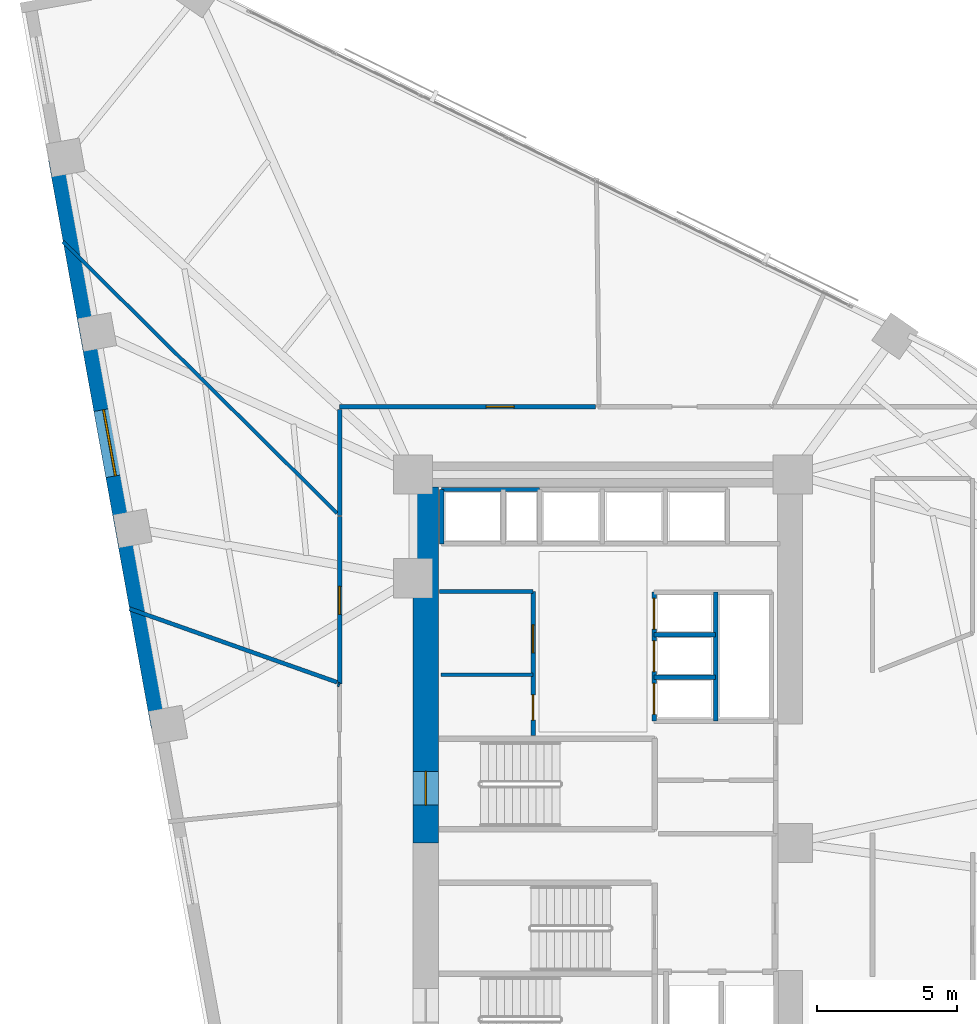
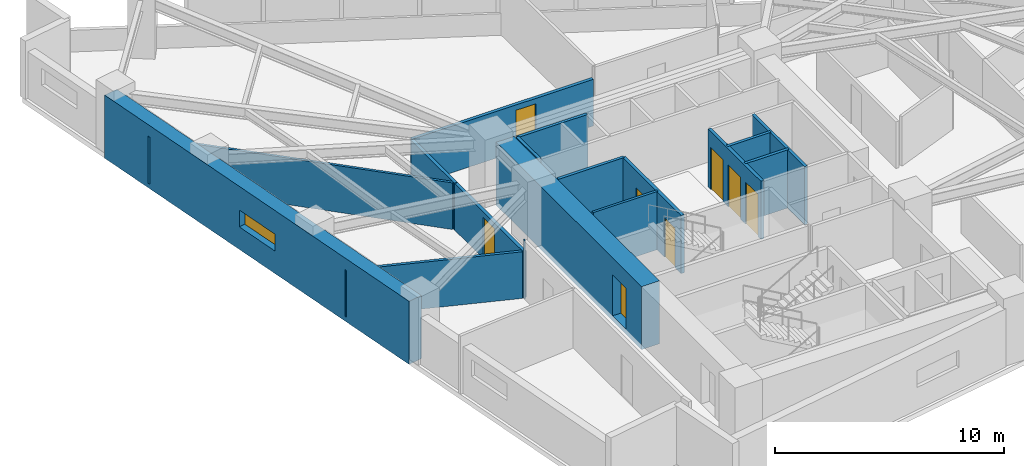
# One storey, part 14 of 20: 17 walls, 8 doors, 1 window, 9 openings.
"""IFC4 building model written with IfcOpenShell, lengths in metres."""

from ifc_helpers import new_model, si_unit, direction, frame, frame_2d, origin, place, context, subcontext, project, spatial, rectangle, extrude, material, layer, layer_set, type_object, element, fill, save


model = new_model("IFC4")

# Units and contexts
model_context = context("Model", 3, precision=1e-05, world=origin(), true_north=direction((0.0, 1.0)))
body_context = subcontext(model_context, "Body", "Model", "MODEL_VIEW")
ifc_project = project(units=[si_unit("LENGTHUNIT", "METRE"), si_unit("AREAUNIT", "SQUARE_METRE"), si_unit("VOLUMEUNIT", "CUBIC_METRE"), si_unit("PLANEANGLEUNIT", "RADIAN"), si_unit("MASSUNIT", "GRAM", prefix="KILO")], contexts=[model_context])

# Site, building, storey
site_placement = place(None, origin())
site = spatial("IfcSite", under=ifc_project, at=site_placement, CompositionType="ELEMENT")
building_placement = place(site_placement, origin())
building = spatial("IfcBuilding", under=site, at=building_placement, Name="Narakoshi Arena Tower", CompositionType="ELEMENT")
storey_placement = place(building_placement, frame((0.0, 0.0, 124.5)))
storey = spatial("IfcBuildingStorey", under=building, at=storey_placement, Name="L33", CompositionType="ELEMENT", Elevation=124.5)

# Wall, opening, door
ifc_material_1 = material(Name="Concrete C60/75", Category="concrete")
ifc_layer_1 = layer(ifc_material_1, 0.89990234375)
ifc_layer_set_1 = layer_set([ifc_layer_1], Name="Concrete C60/75")
wall_type_1 = type_object("IfcWallType", Name="WL-CORE-900", PredefinedType="SHEAR", material=ifc_layer_set_1)
wall_1_placement = place(storey_placement, frame((72.449951171875, 43.35009765625, -0.260009765625), z_axis=(0.0, 0.0, 1.0), x_axis=(0.0, 1.0, 0.0)))
wall_1 = element("IfcWall", 1, at=wall_1_placement, inside=storey, type_object=wall_type_1, Name="L33 Main Core Shear Wall CW-MN-W", PredefinedType="SHEAR", context=body_context, shape_type="SweptSolid", body=[
    extrude(rectangle(XDim=12.699951171875, YDim=0.89990234375, at=frame_2d((6.35009765625, 0.0))), origin(), (0.0, 0.0, 1.0), 3.360107421875),
])
opening_1_placement = place(wall_1_placement, frame((1.35009765625, 0.0, 0.260009765625)))
opening_1 = element("IfcOpeningElement", 2, at=opening_1_placement, cuts=wall_1, Name="Opening D-03", PredefinedType="OPENING", context=body_context, shape_type="SweptSolid", body=[
    extrude(rectangle(XDim=1.199951171875, YDim=2.199951171875, at=frame_2d((0.60009765625, 1.10009765625))), frame((0.0, 0.4599609375, 0.0), z_axis=(0.0, -1.0, 0.0), x_axis=(1.0, 0.0, 0.0)), (0.0, 0.0, 1.0), 0.919921875),
])
ifc_material_2 = material(Name="Painted galvanized steel", Category="steel")
door_type_1 = type_object("IfcDoorType", Name="DR-STR-1200", OperationType="NOTDEFINED", PredefinedType="USERDEFINED", material=ifc_material_2)
door_1_placement = place(opening_1_placement, frame((1.199951171875, 0.0, 0.0), z_axis=(0.0, 0.0, 1.0), x_axis=(-1.0, 0.0, 0.0)))
door_1 = element("IfcDoor", 3, at=door_1_placement, inside=storey, type_object=door_type_1, Name="DR-L33-006", ObjectType="EXITDOOR", OperationType="SINGLE_SWING_LEFT", OverallHeight=2.199951171875, OverallWidth=1.199951171875, PredefinedType="USERDEFINED", context=body_context, shape_type="SweptSolid", body=[
    extrude(rectangle(XDim=1.199951171875, YDim=2.199951171875, at=frame_2d((0.60009765625, 1.10009765625))), frame((0.0, 0.02490234375, 0.0), z_axis=(0.0, -1.0, 0.0), x_axis=(1.0, 0.0, 0.0)), (0.0, 0.0, 1.0), 0.050048828125),
])
fill(opening_1, door_1)

ifc_material_3 = material(Name="Gypsum plasterboard fire-rated partition")
ifc_layer_2 = layer(ifc_material_3, 0.1650390625)
ifc_layer_set_2 = layer_set([ifc_layer_2], Name="Gypsum plasterboard fire-rated partition")
wall_type_2 = type_object("IfcWallType", Name="WL-CORR-165", PredefinedType="PARTITIONING", material=ifc_layer_set_2)
wall_2_placement = place(storey_placement, frame((78.51708984375, 58.9189453125, 0.0), z_axis=(0.0, 0.0, 1.0), x_axis=(-1.0, 0.0, 0.0)))
wall_2 = element("IfcWall", 4, at=wall_2_placement, inside=storey, type_object=wall_type_2, Name="L33 Corridor Partition 07-1", PredefinedType="PARTITIONING", context=body_context, shape_type="SweptSolid", body=[
    extrude(rectangle(XDim=9.140869140625, YDim=0.1650390625, at=frame_2d((4.5703125, 0.0))), origin(), (0.0, 0.0, 1.0), 2.485107421875),
])
opening_2_placement = place(wall_2_placement, frame((2.909423828125, 0.0, 0.0)))
opening_2 = element("IfcOpeningElement", 5, at=opening_2_placement, cuts=wall_2, Name="Opening D-06", PredefinedType="OPENING", context=body_context, shape_type="SweptSolid", body=[
    extrude(rectangle(XDim=1.0, YDim=2.199951171875, at=frame_2d((0.5, 1.10009765625))), frame((0.0, 0.092529296875, 0.0), z_axis=(0.0, -1.0, 0.0), x_axis=(1.0, 0.0, 0.0)), (0.0, 0.0, 1.0), 0.18505859375),
])
ifc_material_4 = material(Name="Stained oak solid-core timber", Category="wood")
door_type_2 = type_object("IfcDoorType", Name="DR-OFF-1000", OperationType="NOTDEFINED", PredefinedType="DOOR", material=ifc_material_4)
door_2_placement = place(opening_2_placement, frame((1.0, 0.0, 0.0), z_axis=(0.0, 0.0, 1.0), x_axis=(-1.0, 0.0, 0.0)))
door_2 = element("IfcDoor", 6, at=door_2_placement, inside=storey, type_object=door_type_2, Name="DR-L33-020", OperationType="SINGLE_SWING_LEFT", OverallHeight=2.199951171875, OverallWidth=1.0, PredefinedType="DOOR", context=body_context, shape_type="SweptSolid", body=[
    extrude(rectangle(XDim=1.0, YDim=2.199951171875, at=frame_2d((0.5, 1.10009765625))), frame((0.0, 0.02490234375, 0.0), z_axis=(0.0, -1.0, 0.0), x_axis=(1.0, 0.0, 0.0)), (0.0, 0.0, 1.0), 0.050048828125),
])
fill(opening_2, door_2)

# Wall
wall_3_placement = place(storey_placement, frame((69.376220703125, 58.824462890625, 0.0), z_axis=(0.0, 0.0, 1.0), x_axis=(0.0, -1.0, 0.0)))
element("IfcWall", 7, at=wall_3_placement, inside=storey, type_object=wall_type_2, Name="L33 Corridor Partition 07-2", PredefinedType="PARTITIONING", context=body_context, shape_type="SweptSolid", body=[
    extrude(rectangle(XDim=3.794189453125, YDim=0.1650390625, at=frame_2d((1.89697265625, 0.0))), origin(), (0.0, 0.0, 1.0), 2.485107421875),
])

# Wall, opening, door
wall_4_placement = place(storey_placement, frame((69.376220703125, 54.996337890625, 0.0), z_axis=(0.0, 0.0, 1.0), x_axis=(0.0, -1.0, 0.0)))
wall_4 = element("IfcWall", 8, at=wall_4_placement, inside=storey, type_object=wall_type_2, Name="L33 Corridor Partition 08-1", PredefinedType="PARTITIONING", context=body_context, shape_type="SweptSolid", body=[
    extrude(rectangle(XDim=5.983154296875, YDim=0.1650390625, at=frame_2d((2.99169921875, 0.0))), origin(), (0.0, 0.0, 1.0), 2.485107421875),
])
opening_3_placement = place(wall_4_placement, frame((2.49169921875, 0.0, 0.0)))
opening_3 = element("IfcOpeningElement", 9, at=opening_3_placement, cuts=wall_4, Name="Opening D-06", PredefinedType="OPENING", context=body_context, shape_type="SweptSolid", body=[
    extrude(rectangle(XDim=1.0, YDim=2.199951171875, at=frame_2d((0.5, 1.10009765625))), frame((0.0, 0.092529296875, 0.0), z_axis=(0.0, -1.0, 0.0), x_axis=(1.0, 0.0, 0.0)), (0.0, 0.0, 1.0), 0.18505859375),
])
door_3_placement = place(opening_3_placement, frame((1.0, 0.0, 0.0), z_axis=(0.0, 0.0, 1.0), x_axis=(-1.0, 0.0, 0.0)))
door_3 = element("IfcDoor", 10, at=door_3_placement, inside=storey, type_object=door_type_2, Name="DR-L33-021", OperationType="SINGLE_SWING_RIGHT", OverallHeight=2.199951171875, OverallWidth=1.0, PredefinedType="DOOR", context=body_context, shape_type="SweptSolid", body=[
    extrude(rectangle(XDim=1.0, YDim=2.199951171875, at=frame_2d((0.5, 1.10009765625))), frame((0.0, 0.02490234375, 0.0), z_axis=(0.0, -1.0, 0.0), x_axis=(1.0, 0.0, 0.0)), (0.0, 0.0, 1.0), 0.050048828125),
])
fill(opening_3, door_3)

# Wall, opening, window
ifc_layer_3 = layer(ifc_material_1, 0.699951171875)
ifc_layer_set_3 = layer_set([ifc_layer_3], Name="Concrete C60/75")
wall_type_3 = type_object("IfcWallType", Name="WL-LEG-700", PredefinedType="SHEAR", material=ifc_layer_set_3)
wall_5_placement = place(storey_placement, frame((59.327880859375, 67.767822265625, -0.260009765625), z_axis=(0.0, 0.0, 1.0), x_axis=(0.177933213615, -0.984042565895, 0.0)))
wall_5 = element("IfcWall", 11, at=wall_5_placement, inside=storey, type_object=wall_type_3, Name="L33 Architectural Concrete Structural Wall LEGB-2", PredefinedType="SHEAR", context=body_context, shape_type="SweptSolid", body=[
    extrude(rectangle(XDim=20.57861328125, YDim=0.699951171875, at=frame_2d((10.289306640625, 0.0))), origin(), (0.0, 0.0, 1.0), 3.360107421875),
])
opening_4_placement = place(wall_5_placement, frame((9.10009765625, 0.0, 1.199951171875)))
opening_4 = element("IfcOpeningElement", 12, at=opening_4_placement, cuts=wall_5, Name="Opening WN-01", PredefinedType="OPENING", context=body_context, shape_type="SweptSolid", body=[
    extrude(rectangle(XDim=2.39990234375, YDim=0.89990234375, at=frame_2d((1.199951171875, 0.449951171875))), frame((0.0, 0.35986328125, 0.0), z_axis=(0.0, -1.0, 0.0), x_axis=(1.0, 0.0, 0.0)), (0.0, 0.0, 1.0), 0.719970703125),
])
ifc_material_5 = material(Name="Bronze-tinted low-E laminated glass", Category="glass")
window_type = type_object("IfcWindowType", Name="WIN-SLT-24x09", PartitioningType="SINGLE_PANEL", PredefinedType="WINDOW", material=ifc_material_5)
window_placement = place(opening_4_placement, origin())
window = element("IfcWindow", 13, at=window_placement, inside=storey, type_object=window_type, Name="L33 LEGB2 Horizontal Slot Window 1", OverallHeight=0.89990234375, OverallWidth=2.39990234375, PartitioningType="SINGLE_PANEL", PredefinedType="WINDOW", context=body_context, shape_type="SweptSolid", body=[
    extrude(rectangle(XDim=2.39990234375, YDim=0.89990234375, at=frame_2d((1.199951171875, 0.449951171875))), frame((0.0, 0.030029296875, 0.0), z_axis=(0.0, -1.0, 0.0), x_axis=(1.0, 0.0, 0.0)), (0.0, 0.0, 1.0), 0.06005859375),
])
fill(opening_4, window)

# Walls
ifc_layer_4 = layer(ifc_material_3, 0.125)
ifc_layer_set_4 = layer_set([ifc_layer_4], Name="Gypsum plasterboard fire-rated partition")
wall_type_4 = type_object("IfcWallType", Name="WL-PART-125", PredefinedType="PARTITIONING", material=ifc_layer_set_4)
wall_6_placement = place(storey_placement, frame((73.0, 49.35009765625, 0.0), z_axis=(0.0, 0.0, 1.0), x_axis=(1.0, 0.0, 0.0)))
element("IfcWall", 14, at=wall_6_placement, inside=storey, type_object=wall_type_4, Name="L33 Core Wall RCL-LR-D1", PredefinedType="PARTITIONING", context=body_context, shape_type="SweptSolid", body=[
    extrude(rectangle(XDim=3.280029296875, YDim=0.125, at=frame_2d((1.64013671875, 0.0))), origin(), (0.0, 0.0, 1.0), 3.10009765625),
])
wall_7_placement = place(storey_placement, frame((69.28173828125, 55.123779296875, 0.0), z_axis=(0.0, 0.0, 1.0), x_axis=(-0.710310594926, 0.703888385141, 0.0)))
element("IfcWall", 15, at=wall_7_placement, inside=storey, type_object=wall_type_4, Name="L33 Inter-Room Partition 07-08", PredefinedType="PARTITIONING", context=body_context, shape_type="SweptSolid", body=[
    extrude(rectangle(XDim=13.761474609375, YDim=0.125, at=frame_2d((6.880859375, 0.0))), origin(), (0.0, 0.0, 1.0), 2.485107421875),
])
ifc_material_6 = material(Name="Concrete C40/50", Category="concrete")
ifc_layer_5 = layer(ifc_material_6, 0.280029296875)
ifc_layer_set_5 = layer_set([ifc_layer_5], Name="Concrete C40/50")
wall_type_5 = type_object("IfcWallType", Name="WL-RISER-280", PredefinedType="PLUMBINGWALL", material=ifc_layer_set_5)
for number, where, z_axis, x_axis, name in (
    (16, (80.60009765625, 49.260009765625, 0.0), (0.0, 0.0, 1.0), (1.0, 0.0, 0.0), "L33 Core Wall MR-D1"),
    (17, (80.60009765625, 50.780029296875, 0.0), (0.0, 0.0, 1.0), (1.0, 0.0, 0.0), "L33 Core Wall MR-D2"),
):
    element("IfcWall", number, at=place(storey_placement, frame(where, z_axis=z_axis, x_axis=x_axis)), inside=storey, type_object=wall_type_5, Name=name, PredefinedType="PLUMBINGWALL", context=body_context, shape_type="SweptSolid", body=[
        extrude(rectangle(XDim=2.199951171875, YDim=0.14990234375, at=frame_2d((1.10009765625, 0.0))), origin(), (0.0, 0.0, 1.0), 3.10009765625),
    ])
wall_8_placement = place(storey_placement, frame((82.800048828125, 47.699951171875, 0.0), z_axis=(0.0, 0.0, 1.0), x_axis=(0.0, 1.0, 0.0)))
element("IfcWall", 18, at=wall_8_placement, inside=storey, type_object=wall_type_5, Name="L33 Core Wall MR-E", PredefinedType="PLUMBINGWALL", context=body_context, shape_type="SweptSolid", body=[
    extrude(rectangle(XDim=4.60009765625, YDim=0.14990234375, at=frame_2d((2.300048828125, 0.0))), origin(), (0.0, 0.0, 1.0), 3.10009765625),
])
wall_9_placement = place(storey_placement, frame((73.02001953125, 54.02001953125, 0.0), z_axis=(0.0, 0.0, 1.0), x_axis=(0.0, 1.0, 0.0)))
element("IfcWall", 19, at=wall_9_placement, inside=storey, type_object=wall_type_5, Name="L33 Core Wall OBS-W", PredefinedType="PLUMBINGWALL", context=body_context, shape_type="SweptSolid", body=[
    extrude(rectangle(XDim=1.93994140625, YDim=0.14990234375, at=frame_2d((0.969970703125, 0.0))), origin(), (0.0, 0.0, 1.0), 3.10009765625),
])

# Wall, openings, doors
ifc_material_7 = material(Name="Concrete C50/60", Category="concrete")
ifc_layer_6 = layer(ifc_material_7, 0.35009765625)
ifc_layer_set_6 = layer_set([ifc_layer_6], Name="Concrete C50/60")
wall_type_6 = type_object("IfcWallType", Name="WL-SHAFT-350", PredefinedType="SOLIDWALL", material=ifc_layer_set_6)
wall_10_placement = place(storey_placement, frame((76.280029296875, 47.179931640625, 0.0), z_axis=(0.0, 0.0, 1.0), x_axis=(0.0, 1.0, 0.0)))
wall_10 = element("IfcWall", 20, at=wall_10_placement, inside=storey, type_object=wall_type_6, Name="L33 Core Wall LR-E", PredefinedType="SOLIDWALL", context=body_context, shape_type="SweptSolid", body=[
    extrude(rectangle(XDim=5.14013671875, YDim=0.159912109375, at=frame_2d((2.570068359375, 0.0))), origin(), (0.0, 0.0, 1.0), 3.10009765625),
])
opening_5_placement = place(wall_10_placement, frame((0.550048828125, 0.0, 0.0)))
opening_5 = element("IfcOpeningElement", 21, at=opening_5_placement, cuts=wall_10, Name="Opening D-08", PredefinedType="OPENING", context=body_context, shape_type="SweptSolid", body=[
    extrude(rectangle(XDim=0.89990234375, YDim=2.10009765625, at=frame_2d((0.449951171875, 1.050048828125))), frame((0.0, 0.08984375, 0.0), z_axis=(0.0, -1.0, 0.0), x_axis=(1.0, 0.0, 0.0)), (0.0, 0.0, 1.0), 0.179931640625),
])
opening_6_placement = place(wall_10_placement, frame((2.949951171875, 0.0, 0.0)))
opening_6 = element("IfcOpeningElement", 22, at=opening_6_placement, cuts=wall_10, Name="Opening D-06", PredefinedType="OPENING", context=body_context, shape_type="SweptSolid", body=[
    extrude(rectangle(XDim=1.0, YDim=2.199951171875, at=frame_2d((0.5, 1.10009765625))), frame((0.0, 0.08984375, 0.0), z_axis=(0.0, -1.0, 0.0), x_axis=(1.0, 0.0, 0.0)), (0.0, 0.0, 1.0), 0.179931640625),
])
door_4_placement = place(opening_6_placement, frame((1.0, 0.0, 0.0), z_axis=(0.0, 0.0, 1.0), x_axis=(-1.0, 0.0, 0.0)))
door_4 = element("IfcDoor", 23, at=door_4_placement, inside=storey, type_object=door_type_2, Name="DR-L33-010", OperationType="SINGLE_SWING_LEFT", OverallHeight=2.199951171875, OverallWidth=1.0, PredefinedType="DOOR", context=body_context, shape_type="SweptSolid", body=[
    extrude(rectangle(XDim=1.0, YDim=2.199951171875, at=frame_2d((0.5, 1.10009765625))), frame((0.0, 0.02490234375, 0.0), z_axis=(0.0, -1.0, 0.0), x_axis=(1.0, 0.0, 0.0)), (0.0, 0.0, 1.0), 0.050048828125),
])
fill(opening_6, door_4)
ifc_material_8 = material(Name="Moisture-resistant laminate timber", Category="wood")
door_type_3 = type_object("IfcDoorType", Name="DR-WC-900", OperationType="NOTDEFINED", PredefinedType="DOOR", material=ifc_material_8)
door_5_placement = place(opening_5_placement, frame((0.89990234375, 0.0, 0.0), z_axis=(0.0, 0.0, 1.0), x_axis=(-1.0, 0.0, 0.0)))
door_5 = element("IfcDoor", 24, at=door_5_placement, inside=storey, type_object=door_type_3, Name="DR-L33-009", OperationType="SINGLE_SWING_RIGHT", OverallHeight=2.10009765625, OverallWidth=0.89990234375, PredefinedType="DOOR", context=body_context, shape_type="SweptSolid", body=[
    extrude(rectangle(XDim=0.89990234375, YDim=2.10009765625, at=frame_2d((0.449951171875, 1.050048828125))), frame((0.0, 0.02490234375, 0.0), z_axis=(0.0, -1.0, 0.0), x_axis=(1.0, 0.0, 0.0)), (0.0, 0.0, 1.0), 0.050048828125),
])
fill(opening_5, door_5)

# Wall
wall_11_placement = place(storey_placement, frame((72.949951171875, 52.320068359375, 0.0), z_axis=(0.0, 0.0, 1.0), x_axis=(1.0, 0.0, 0.0)))
element("IfcWall", 25, at=wall_11_placement, inside=storey, type_object=wall_type_6, Name="L33 Core Wall LR-N", PredefinedType="SOLIDWALL", context=body_context, shape_type="SweptSolid", body=[
    extrude(rectangle(XDim=3.330078125, YDim=0.14990234375, at=frame_2d((1.6650390625, 0.0))), origin(), (0.0, 0.0, 1.0), 3.10009765625),
])

# Wall, openings, doors
wall_12_placement = place(storey_placement, frame((80.60009765625, 47.699951171875, 0.0), z_axis=(0.0, 0.0, 1.0), x_axis=(0.0, 1.0, 0.0)))
wall_12 = element("IfcWall", 26, at=wall_12_placement, inside=storey, type_object=wall_type_6, Name="L33 Core Wall MR-W", PredefinedType="SOLIDWALL", context=body_context, shape_type="SweptSolid", body=[
    extrude(rectangle(XDim=4.60009765625, YDim=0.159912109375, at=frame_2d((2.300048828125, 0.0))), origin(), (0.0, 0.0, 1.0), 3.10009765625),
])
opening_7_placement = place(wall_12_placement, frame((0.239990234375, 0.0, 0.0)))
opening_7 = element("IfcOpeningElement", 27, at=opening_7_placement, cuts=wall_12, Name="Opening LD-01", PredefinedType="OPENING", context=body_context, shape_type="SweptSolid", body=[
    extrude(rectangle(XDim=1.10009765625, YDim=2.25, at=frame_2d((0.550048828125, 1.125))), frame((0.0, 0.08984375, 0.0), z_axis=(0.0, -1.0, 0.0), x_axis=(1.0, 0.0, 0.0)), (0.0, 0.0, 1.0), 0.179931640625),
])
opening_8_placement = place(wall_12_placement, frame((1.760009765625, 0.0, 0.0)))
opening_8 = element("IfcOpeningElement", 28, at=opening_8_placement, cuts=wall_12, Name="Opening LD-01", PredefinedType="OPENING", context=body_context, shape_type="SweptSolid", body=[
    extrude(rectangle(XDim=1.10009765625, YDim=2.25, at=frame_2d((0.550048828125, 1.125))), frame((0.0, 0.08984375, 0.0), z_axis=(0.0, -1.0, 0.0), x_axis=(1.0, 0.0, 0.0)), (0.0, 0.0, 1.0), 0.179931640625),
])
opening_9_placement = place(wall_12_placement, frame((3.280029296875, 0.0, 0.0)))
opening_9 = element("IfcOpeningElement", 29, at=opening_9_placement, cuts=wall_12, Name="Opening LD-01", PredefinedType="OPENING", context=body_context, shape_type="SweptSolid", body=[
    extrude(rectangle(XDim=1.10009765625, YDim=2.25, at=frame_2d((0.550048828125, 1.125))), frame((0.0, 0.08984375, 0.0), z_axis=(0.0, -1.0, 0.0), x_axis=(1.0, 0.0, 0.0)), (0.0, 0.0, 1.0), 0.179931640625),
])
ifc_material_9 = material(Name="Brushed bronze stainless steel", Category="steel")
door_type_4 = type_object("IfcDoorType", Name="DR-LFT-1100", OperationType="DOUBLE_DOOR_SLIDING", PredefinedType="DOOR", material=ifc_material_9)
door_6_placement = place(opening_7_placement, frame((1.10009765625, 0.0, 0.0), z_axis=(0.0, 0.0, 1.0), x_axis=(-1.0, 0.0, 0.0)))
door_6 = element("IfcDoor", 30, at=door_6_placement, inside=storey, type_object=door_type_4, Name="DR-L33-011", OperationType="DOUBLE_DOOR_SLIDING", OverallHeight=2.25, OverallWidth=1.10009765625, PredefinedType="DOOR", context=body_context, shape_type="SweptSolid", body=[
    extrude(rectangle(XDim=1.10009765625, YDim=2.25, at=frame_2d((0.550048828125, 1.125))), frame((0.0, 0.02490234375, 0.0), z_axis=(0.0, -1.0, 0.0), x_axis=(1.0, 0.0, 0.0)), (0.0, 0.0, 1.0), 0.050048828125),
])
fill(opening_7, door_6)
door_7_placement = place(opening_8_placement, frame((1.10009765625, 0.0, 0.0), z_axis=(0.0, 0.0, 1.0), x_axis=(-1.0, 0.0, 0.0)))
door_7 = element("IfcDoor", 31, at=door_7_placement, inside=storey, type_object=door_type_4, Name="DR-L33-012", OperationType="DOUBLE_DOOR_SLIDING", OverallHeight=2.25, OverallWidth=1.10009765625, PredefinedType="DOOR", context=body_context, shape_type="SweptSolid", body=[
    extrude(rectangle(XDim=1.10009765625, YDim=2.25, at=frame_2d((0.550048828125, 1.125))), frame((0.0, 0.02490234375, 0.0), z_axis=(0.0, -1.0, 0.0), x_axis=(1.0, 0.0, 0.0)), (0.0, 0.0, 1.0), 0.050048828125),
])
fill(opening_8, door_7)
door_8_placement = place(opening_9_placement, frame((1.10009765625, 0.0, 0.0), z_axis=(0.0, 0.0, 1.0), x_axis=(-1.0, 0.0, 0.0)))
door_8 = element("IfcDoor", 32, at=door_8_placement, inside=storey, type_object=door_type_4, Name="DR-L33-013", OperationType="DOUBLE_DOOR_SLIDING", OverallHeight=2.25, OverallWidth=1.10009765625, PredefinedType="DOOR", context=body_context, shape_type="SweptSolid", body=[
    extrude(rectangle(XDim=1.10009765625, YDim=2.25, at=frame_2d((0.550048828125, 1.125))), frame((0.0, 0.02490234375, 0.0), z_axis=(0.0, -1.0, 0.0), x_axis=(1.0, 0.0, 0.0)), (0.0, 0.0, 1.0), 0.050048828125),
])
fill(opening_9, door_8)

# Walls
wall_13_placement = place(storey_placement, frame((73.02001953125, 55.9599609375, 0.0), z_axis=(0.0, 0.0, 1.0), x_axis=(1.0, 0.0, 0.0)))
element("IfcWall", 33, at=wall_13_placement, inside=storey, type_object=wall_type_6, Name="L33 Core Wall OBS-N", PredefinedType="SOLIDWALL", context=body_context, shape_type="SweptSolid", body=[
    extrude(rectangle(XDim=3.5, YDim=0.14990234375, at=frame_2d((1.75, 0.0))), origin(), (0.0, 0.0, 1.0), 3.10009765625),
])
ifc_material_10 = material(Name="Moisture-resistant cement-board partition")
ifc_layer_7 = layer(ifc_material_10, 0.14501953125)
ifc_layer_set_7 = layer_set([ifc_layer_7], Name="Moisture-resistant cement-board partition")
wall_type_7 = type_object("IfcWallType", Name="WL-WET-145", PredefinedType="PARTITIONING", material=ifc_layer_set_7)
wall_14_placement = place(storey_placement, frame((69.28173828125, 49.0849609375, 0.0), z_axis=(0.0, 0.0, 1.0), x_axis=(-0.94268181917, 0.333692954386, 0.0)))
element("IfcWall", 34, at=wall_14_placement, inside=storey, type_object=wall_type_7, Name="L33 Inter-Room Partition 08-09", PredefinedType="PARTITIONING", context=body_context, shape_type="SweptSolid", body=[
    extrude(rectangle(XDim=7.85546875, YDim=0.14501953125, at=frame_2d((3.927734375, 0.0))), origin(), (0.0, 0.0, 1.0), 2.485107421875),
])
wall_15_placement = place(storey_placement, frame((69.316162109375, 49.00927734375, 0.0), z_axis=(0.0, 0.0, 1.0), x_axis=(0.940350208768, -0.340208002359, 0.0)))
element("IfcWall", 35, at=wall_15_placement, inside=storey, type_object=wall_type_7, Name="L33 Corridor Partition 09-2", PredefinedType="PARTITIONING", context=body_context, shape_type="SweptSolid", body=[
    extrude(rectangle(XDim=0.06396484375, YDim=0.14501953125, at=frame_2d((0.031982421875, 0.0))), origin(), (0.0, 0.0, 1.0), 3.10009765625),
])

save(model, "model.ifc")
